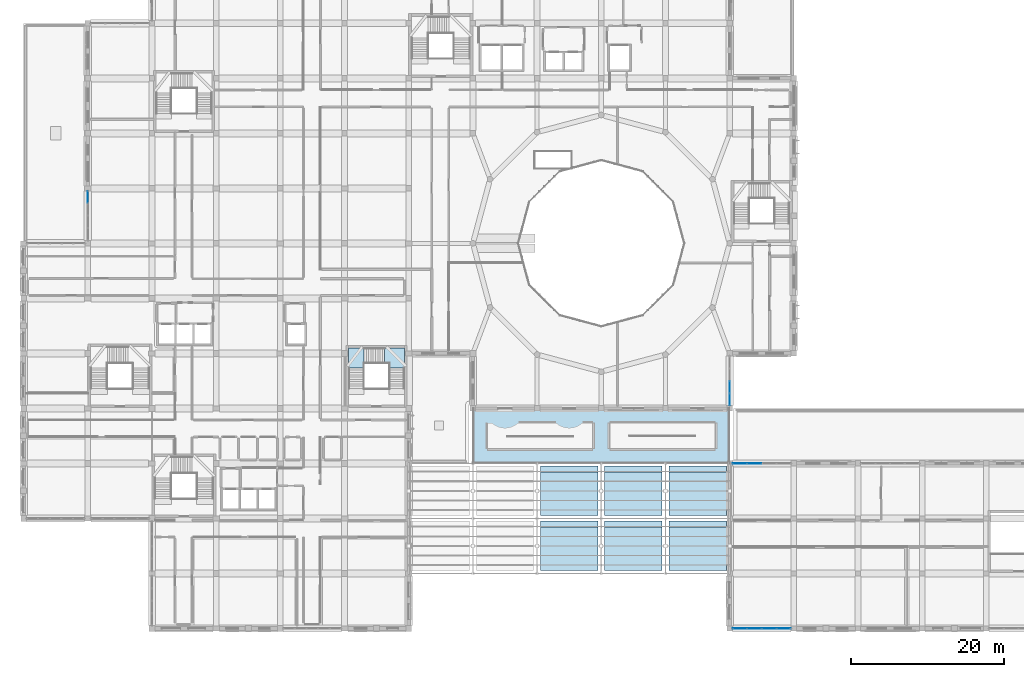
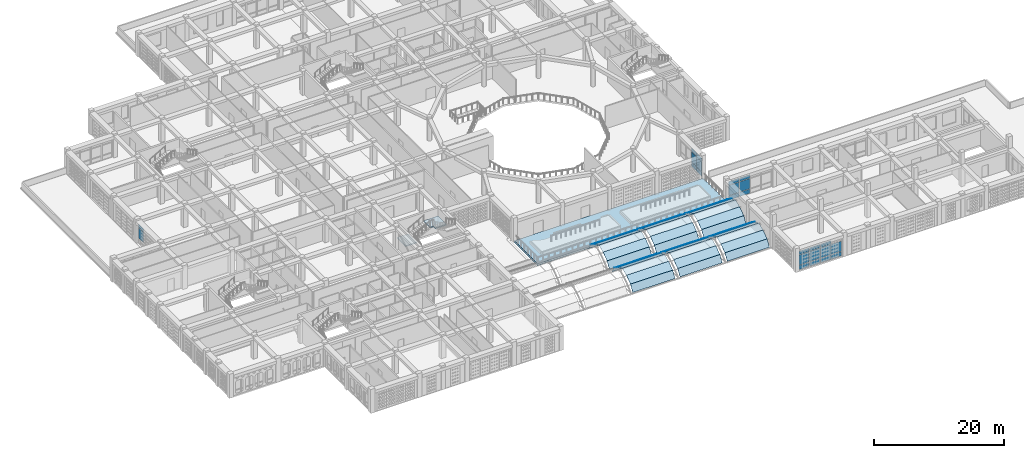
# One storey, part 42 of 100: 61 plates, 3 slabs, 5 elements without a shape of their own.
"""IFC4 building model written with IfcOpenShell, lengths in metres."""

from ifc_helpers import new_model, si_unit, derived_unit, direction, frame, origin, origin_2d, place, context, subcontext, project, spatial, polyline, rectangle, outline, extrude, material, layer, layer_set, type_object, element, aggregate, save


model = new_model("IFC4")

# Units and contexts
model_context = context("Model", 3, precision=1e-05, world=origin(), true_north=direction((0.0, 1.0)))
body_context = subcontext(model_context, "Body", "Model", "MODEL_VIEW")
ifc_project = project(units=[si_unit("LENGTHUNIT", "METRE"), si_unit("AREAUNIT", "SQUARE_METRE"), si_unit("VOLUMEUNIT", "CUBIC_METRE"), si_unit("PLANEANGLEUNIT", "RADIAN"), si_unit("MASSUNIT", "GRAM", prefix="KILO"), derived_unit("THERMALTRANSMITTANCEUNIT", [(si_unit("POWERUNIT", "WATT"), 1), (si_unit("LENGTHUNIT", "METRE"), -2), (si_unit("THERMODYNAMICTEMPERATUREUNIT", "KELVIN"), -1)])], contexts=[model_context])

# Site, building, storey
site_placement = place(None, origin())
site = spatial("IfcSite", under=ifc_project, at=site_placement, CompositionType="ELEMENT")
building_placement = place(site_placement, origin())
building = spatial("IfcBuilding", under=site, at=building_placement, Name="Veybourne Emporium", CompositionType="ELEMENT")
storey_placement = place(building_placement, frame((0.0, 0.0, 14.39990234375)))
storey = spatial("IfcBuildingStorey", under=building, at=storey_placement, Name="L03", CompositionType="ELEMENT", Elevation=14.39990234375)

# Curtain wall, plates
ifc_material_1 = material(Name="Patinated Architectural Bronze", Category="bronze")
curtain_wall_type_1 = type_object("IfcCurtainWallType", Name="CWSystem_CWS-08", PredefinedType="NOTDEFINED", material=ifc_material_1)
curtain_wall_1_placement = place(storey_placement, origin())
curtain_wall_1 = element("IfcCurtainWall", 1, at=curtain_wall_1_placement, inside=storey, type_object=curtain_wall_type_1, Name="L03 bronze glazed curtain wall CWS-08 (009)", PredefinedType="NOTDEFINED")
ifc_material_2 = material(Name="Low-E Triple Glazing", Category="glass")
ifc_layer_1 = layer(ifc_material_2, 0.028076171875)
ifc_layer_set_1 = layer_set([ifc_layer_1], Name="Low-E Triple Glazing")
plate_type_1 = type_object("IfcPlateType", Name="CWPanel_CW-P1", PredefinedType="CURTAIN_PANEL", material=ifc_layer_set_1)
plate_1_placement = place(storey_placement, frame((8.39990234375, 56.445068359375, 0.93505859375), z_axis=(0.0, 0.0, 1.0), x_axis=(0.0, 1.0, 0.0)))
plate_1 = element("IfcPlate", 2, at=plate_1_placement, type_object=plate_type_1, Name="CWS-08 panel 4.2", PredefinedType="CURTAIN_PANEL", context=body_context, shape_type="SweptSolid", body=[
    extrude(rectangle(XDim=1.52001953125, YDim=0.028076171875, at=origin_2d()), origin(), (0.0, 0.0, 1.0), 1.909912109375),
])
plate_2_placement = place(storey_placement, frame((8.39990234375, 56.445068359375, 2.9150390625), z_axis=(0.0, 0.0, 1.0), x_axis=(0.0, 1.0, 0.0)))
plate_2 = element("IfcPlate", 3, at=plate_2_placement, type_object=plate_type_1, Name="CWS-08 panel 4.3", PredefinedType="CURTAIN_PANEL", context=body_context, shape_type="SweptSolid", body=[
    extrude(rectangle(XDim=1.52001953125, YDim=0.028076171875, at=origin_2d()), origin(), (0.0, 0.0, 1.0), 0.64501953125),
])
aggregate(curtain_wall_1, [plate_1, plate_2])

curtain_wall_type_2 = type_object("IfcCurtainWallType", Name="CWSystem_CWS-17", PredefinedType="NOTDEFINED", material=ifc_material_1)
curtain_wall_2_placement = place(storey_placement, origin())
curtain_wall_2 = element("IfcCurtainWall", 4, at=curtain_wall_2_placement, inside=storey, type_object=curtain_wall_type_2, Name="L03 bronze glazed curtain wall CWS-17 (042)", PredefinedType="NOTDEFINED")
plate_3_placement = place(storey_placement, frame((92.39990234375, 31.58740234375, 0.072021484375), z_axis=(0.0, 0.0, 1.0), x_axis=(0.0, -1.0, 0.0)))
plate_3 = element("IfcPlate", 5, at=plate_3_placement, type_object=plate_type_1, Name="CWS-17 panel 3.1", PredefinedType="CURTAIN_PANEL", context=body_context, shape_type="SweptSolid", body=[
    extrude(rectangle(XDim=1.552978515625, YDim=0.028076171875, at=origin_2d()), origin(), (0.0, 0.0, 1.0), 0.7919921875),
])
plate_4_placement = place(storey_placement, frame((92.39990234375, 31.58740234375, 0.93603515625), z_axis=(0.0, 0.0, 1.0), x_axis=(0.0, -1.0, 0.0)))
plate_4 = element("IfcPlate", 6, at=plate_4_placement, type_object=plate_type_1, Name="CWS-17 panel 3.2", PredefinedType="CURTAIN_PANEL", context=body_context, shape_type="SweptSolid", body=[
    extrude(rectangle(XDim=1.552978515625, YDim=0.028076171875, at=origin_2d()), origin(), (0.0, 0.0, 1.0), 1.907958984375),
])
plate_5_placement = place(storey_placement, frame((92.39990234375, 31.58740234375, 2.916015625), z_axis=(0.0, 0.0, 1.0), x_axis=(0.0, -1.0, 0.0)))
plate_5 = element("IfcPlate", 7, at=plate_5_placement, type_object=plate_type_1, Name="CWS-17 panel 3.3", PredefinedType="CURTAIN_PANEL", context=body_context, shape_type="SweptSolid", body=[
    extrude(rectangle(XDim=1.552978515625, YDim=0.028076171875, at=origin_2d()), origin(), (0.0, 0.0, 1.0), 0.64208984375),
])
plate_6_placement = place(storey_placement, frame((92.39990234375, 29.98046875, 0.072021484375), z_axis=(0.0, 0.0, 1.0), x_axis=(0.0, -1.0, 0.0)))
plate_6 = element("IfcPlate", 8, at=plate_6_placement, type_object=plate_type_1, Name="CWS-17 panel 4.1", PredefinedType="CURTAIN_PANEL", context=body_context, shape_type="SweptSolid", body=[
    extrude(rectangle(XDim=1.51708984375, YDim=0.028076171875, at=origin_2d()), origin(), (0.0, 0.0, 1.0), 0.7919921875),
])
plate_7_placement = place(storey_placement, frame((92.39990234375, 29.98046875, 0.93603515625), z_axis=(0.0, 0.0, 1.0), x_axis=(0.0, -1.0, 0.0)))
plate_7 = element("IfcPlate", 9, at=plate_7_placement, type_object=plate_type_1, Name="CWS-17 panel 4.2", PredefinedType="CURTAIN_PANEL", context=body_context, shape_type="SweptSolid", body=[
    extrude(rectangle(XDim=1.51708984375, YDim=0.028076171875, at=origin_2d()), origin(), (0.0, 0.0, 1.0), 1.907958984375),
])
plate_8_placement = place(storey_placement, frame((92.39990234375, 29.98046875, 2.916015625), z_axis=(0.0, 0.0, 1.0), x_axis=(0.0, -1.0, 0.0)))
plate_8 = element("IfcPlate", 10, at=plate_8_placement, type_object=plate_type_1, Name="CWS-17 panel 4.3", PredefinedType="CURTAIN_PANEL", context=body_context, shape_type="SweptSolid", body=[
    extrude(rectangle(XDim=1.51708984375, YDim=0.028076171875, at=origin_2d()), origin(), (0.0, 0.0, 1.0), 0.64208984375),
])
aggregate(curtain_wall_2, [plate_3, plate_4, plate_5, plate_6, plate_7, plate_8])

curtain_wall_type_3 = type_object("IfcCurtainWallType", Name="CWSystem_CWS-19", PredefinedType="NOTDEFINED", material=ifc_material_1)
curtain_wall_3_placement = place(storey_placement, origin())
curtain_wall_3 = element("IfcCurtainWall", 11, at=curtain_wall_3_placement, inside=storey, type_object=curtain_wall_type_3, Name="L03 bronze glazed curtain wall CWS-19 (048)", PredefinedType="NOTDEFINED")
plate_9_placement = place(storey_placement, frame((99.468017578125, 0.0, 0.078125), z_axis=(0.0, 0.0, 1.0), x_axis=(-1.0, 0.0, 0.0)))
plate_9 = element("IfcPlate", 12, at=plate_9_placement, type_object=plate_type_1, Name="CWS-19 panel 1.1", PredefinedType="CURTAIN_PANEL", context=body_context, shape_type="SweptSolid", body=[
    extrude(rectangle(XDim=1.80810546875, YDim=0.028076171875, at=origin_2d()), origin(), (0.0, 0.0, 1.0), 0.782958984375),
])
plate_10_placement = place(storey_placement, frame((99.468017578125, 0.0, 0.93896484375), z_axis=(0.0, 0.0, 1.0), x_axis=(-1.0, 0.0, 0.0)))
plate_10 = element("IfcPlate", 13, at=plate_10_placement, type_object=plate_type_1, Name="CWS-19 panel 1.2", PredefinedType="CURTAIN_PANEL", context=body_context, shape_type="SweptSolid", body=[
    extrude(rectangle(XDim=1.80810546875, YDim=0.028076171875, at=origin_2d()), origin(), (0.0, 0.0, 1.0), 1.902099609375),
])
plate_11_placement = place(storey_placement, frame((97.5625, 0.0, 0.078125), z_axis=(0.0, 0.0, 1.0), x_axis=(-1.0, 0.0, 0.0)))
plate_11 = element("IfcPlate", 14, at=plate_11_placement, type_object=plate_type_1, Name="CWS-19 panel 2.1", PredefinedType="CURTAIN_PANEL", context=body_context, shape_type="SweptSolid", body=[
    extrude(rectangle(XDim=1.846923828125, YDim=0.028076171875, at=origin_2d()), origin(), (0.0, 0.0, 1.0), 0.782958984375),
])
plate_12_placement = place(storey_placement, frame((97.5625, 0.0, 0.93896484375), z_axis=(0.0, 0.0, 1.0), x_axis=(-1.0, 0.0, 0.0)))
plate_12 = element("IfcPlate", 15, at=plate_12_placement, type_object=plate_type_1, Name="CWS-19 panel 2.2", PredefinedType="CURTAIN_PANEL", context=body_context, shape_type="SweptSolid", body=[
    extrude(rectangle(XDim=1.846923828125, YDim=0.028076171875, at=origin_2d()), origin(), (0.0, 0.0, 1.0), 1.902099609375),
])
plate_13_placement = place(storey_placement, frame((97.5625, 0.0, 2.9189453125), z_axis=(0.0, 0.0, 1.0), x_axis=(-1.0, 0.0, 0.0)))
plate_13 = element("IfcPlate", 16, at=plate_13_placement, type_object=plate_type_1, Name="CWS-19 panel 2.3", PredefinedType="CURTAIN_PANEL", context=body_context, shape_type="SweptSolid", body=[
    extrude(rectangle(XDim=1.846923828125, YDim=0.028076171875, at=origin_2d()), origin(), (0.0, 0.0, 1.0), 0.633056640625),
])
plate_14_placement = place(storey_placement, frame((95.637451171875, 0.0, 0.078125), z_axis=(0.0, 0.0, 1.0), x_axis=(-1.0, 0.0, 0.0)))
plate_14 = element("IfcPlate", 17, at=plate_14_placement, type_object=plate_type_1, Name="CWS-19 panel 3.1", PredefinedType="CURTAIN_PANEL", context=body_context, shape_type="SweptSolid", body=[
    extrude(rectangle(XDim=1.846923828125, YDim=0.028076171875, at=origin_2d()), origin(), (0.0, 0.0, 1.0), 0.782958984375),
])
plate_15_placement = place(storey_placement, frame((95.637451171875, 0.0, 0.93896484375), z_axis=(0.0, 0.0, 1.0), x_axis=(-1.0, 0.0, 0.0)))
plate_15 = element("IfcPlate", 18, at=plate_15_placement, type_object=plate_type_1, Name="CWS-19 panel 3.2", PredefinedType="CURTAIN_PANEL", context=body_context, shape_type="SweptSolid", body=[
    extrude(rectangle(XDim=1.846923828125, YDim=0.028076171875, at=origin_2d()), origin(), (0.0, 0.0, 1.0), 1.902099609375),
])
plate_16_placement = place(storey_placement, frame((95.637451171875, 0.0, 2.9189453125), z_axis=(0.0, 0.0, 1.0), x_axis=(-1.0, 0.0, 0.0)))
plate_16 = element("IfcPlate", 19, at=plate_16_placement, type_object=plate_type_1, Name="CWS-19 panel 3.3", PredefinedType="CURTAIN_PANEL", context=body_context, shape_type="SweptSolid", body=[
    extrude(rectangle(XDim=1.846923828125, YDim=0.028076171875, at=origin_2d()), origin(), (0.0, 0.0, 1.0), 0.633056640625),
])
plate_17_placement = place(storey_placement, frame((93.73193359375, 0.0, 0.078125), z_axis=(0.0, 0.0, 1.0), x_axis=(-1.0, 0.0, 0.0)))
plate_17 = element("IfcPlate", 20, at=plate_17_placement, type_object=plate_type_1, Name="CWS-19 panel 4.1", PredefinedType="CURTAIN_PANEL", context=body_context, shape_type="SweptSolid", body=[
    extrude(rectangle(XDim=1.80810546875, YDim=0.028076171875, at=origin_2d()), origin(), (0.0, 0.0, 1.0), 0.782958984375),
])
plate_18_placement = place(storey_placement, frame((93.73193359375, 0.0, 0.93896484375), z_axis=(0.0, 0.0, 1.0), x_axis=(-1.0, 0.0, 0.0)))
plate_18 = element("IfcPlate", 21, at=plate_18_placement, type_object=plate_type_1, Name="CWS-19 panel 4.2", PredefinedType="CURTAIN_PANEL", context=body_context, shape_type="SweptSolid", body=[
    extrude(rectangle(XDim=1.80810546875, YDim=0.028076171875, at=origin_2d()), origin(), (0.0, 0.0, 1.0), 1.902099609375),
])
plate_19_placement = place(storey_placement, frame((93.73193359375, 0.0, 2.9189453125), z_axis=(0.0, 0.0, 1.0), x_axis=(-1.0, 0.0, 0.0)))
plate_19 = element("IfcPlate", 22, at=plate_19_placement, type_object=plate_type_1, Name="CWS-19 panel 4.3", PredefinedType="CURTAIN_PANEL", context=body_context, shape_type="SweptSolid", body=[
    extrude(rectangle(XDim=1.80810546875, YDim=0.028076171875, at=origin_2d()), origin(), (0.0, 0.0, 1.0), 0.633056640625),
])
aggregate(curtain_wall_3, [plate_9, plate_10, plate_11, plate_12, plate_13, plate_14, plate_15, plate_16, plate_17, plate_18, plate_19])

curtain_wall_type_4 = type_object("IfcCurtainWallType", Name="CWSystem_CWS-20", PredefinedType="NOTDEFINED", material=ifc_material_1)
curtain_wall_4_placement = place(storey_placement, origin())
curtain_wall_4 = element("IfcCurtainWall", 23, at=curtain_wall_4_placement, inside=storey, type_object=curtain_wall_type_4, Name="L03 bronze glazed curtain wall CWS-20 (051)", PredefinedType="NOTDEFINED")
plate_20_placement = place(storey_placement, frame((93.72998046875, 21.60009765625, 0.070068359375), z_axis=(0.0, 0.0, 1.0), x_axis=(1.0, 0.0, 0.0)))
plate_20 = element("IfcPlate", 24, at=plate_20_placement, type_object=plate_type_1, Name="CWS-20 panel 1.1", PredefinedType="CURTAIN_PANEL", context=body_context, shape_type="SweptSolid", body=[
    extrude(rectangle(XDim=1.820068359375, YDim=0.028076171875, at=origin_2d()), origin(), (0.0, 0.0, 1.0), 0.794921875),
])
plate_21_placement = place(storey_placement, frame((93.72998046875, 21.60009765625, 0.93505859375), z_axis=(0.0, 0.0, 1.0), x_axis=(1.0, 0.0, 0.0)))
plate_21 = element("IfcPlate", 25, at=plate_21_placement, type_object=plate_type_1, Name="CWS-20 panel 1.2", PredefinedType="CURTAIN_PANEL", context=body_context, shape_type="SweptSolid", body=[
    extrude(rectangle(XDim=1.820068359375, YDim=0.028076171875, at=origin_2d()), origin(), (0.0, 0.0, 1.0), 1.909912109375),
])
plate_22_placement = place(storey_placement, frame((93.72998046875, 21.60009765625, 2.9150390625), z_axis=(0.0, 0.0, 1.0), x_axis=(1.0, 0.0, 0.0)))
plate_22 = element("IfcPlate", 26, at=plate_22_placement, type_object=plate_type_1, Name="CWS-20 panel 1.3", PredefinedType="CURTAIN_PANEL", context=body_context, shape_type="SweptSolid", body=[
    extrude(rectangle(XDim=1.820068359375, YDim=0.028076171875, at=origin_2d()), origin(), (0.0, 0.0, 1.0), 0.64501953125),
])
plate_23_placement = place(storey_placement, frame((95.637451171875, 21.60009765625, 0.070068359375), z_axis=(0.0, 0.0, 1.0), x_axis=(1.0, 0.0, 0.0)))
plate_23 = element("IfcPlate", 27, at=plate_23_placement, type_object=plate_type_1, Name="CWS-20 panel 2.1", PredefinedType="CURTAIN_PANEL", context=body_context, shape_type="SweptSolid", body=[
    extrude(rectangle(XDim=1.85498046875, YDim=0.028076171875, at=origin_2d()), origin(), (0.0, 0.0, 1.0), 0.794921875),
])
plate_24_placement = place(storey_placement, frame((95.637451171875, 21.60009765625, 0.93505859375), z_axis=(0.0, 0.0, 1.0), x_axis=(1.0, 0.0, 0.0)))
plate_24 = element("IfcPlate", 28, at=plate_24_placement, type_object=plate_type_1, Name="CWS-20 panel 2.2", PredefinedType="CURTAIN_PANEL", context=body_context, shape_type="SweptSolid", body=[
    extrude(rectangle(XDim=1.85498046875, YDim=0.028076171875, at=origin_2d()), origin(), (0.0, 0.0, 1.0), 1.909912109375),
])
plate_25_placement = place(storey_placement, frame((95.637451171875, 21.60009765625, 2.9150390625), z_axis=(0.0, 0.0, 1.0), x_axis=(1.0, 0.0, 0.0)))
plate_25 = element("IfcPlate", 29, at=plate_25_placement, type_object=plate_type_1, Name="CWS-20 panel 2.3", PredefinedType="CURTAIN_PANEL", context=body_context, shape_type="SweptSolid", body=[
    extrude(rectangle(XDim=1.85498046875, YDim=0.028076171875, at=origin_2d()), origin(), (0.0, 0.0, 1.0), 0.64501953125),
])
aggregate(curtain_wall_4, [plate_20, plate_21, plate_22, plate_23, plate_24, plate_25])

# Plates
ifc_material_3 = material(Name="Solar Control Laminated Glass", Category="glass")
ifc_layer_2 = layer(ifc_material_3, 0.02392578125)
ifc_layer_set_2 = layer_set([ifc_layer_2], Name="Solar Control Laminated Glass")
plate_type_2 = type_object("IfcPlateType", Name="GlazingPlate_VG-01", PredefinedType="SHEET", material=ifc_layer_set_2)
plate_26_placement = place(storey_placement, frame((67.639892578125, 7.56005859375, 0.024169921875), z_axis=(0.0, -0.847573426273, 0.530678138871), x_axis=(1.0, 0.0, 0.0)))
element("IfcPlate", 30, at=plate_26_placement, inside=storey, type_object=plate_type_2, Name="Arcade vault laminated glazing VG-01 VA.2.1", PredefinedType="SHEET", context=body_context, shape_type="SweptSolid", body=[
    extrude(outline(polyline([(0.0, 0.0), (7.52001953125, 0.0), (7.52001953125, 1.3566993821477364), (0.0, 1.3566993821477364), (0.0, 0.0)])), origin(), (0.0, 0.0, -1.0), 0.02392578125),
])
plate_27_placement = place(storey_placement, frame((67.639892578125, 8.280029296875, 1.174072265625), z_axis=(0.0, -0.581297847849, 0.813690857811), x_axis=(1.0, 0.0, 0.0)))
element("IfcPlate", 31, at=plate_27_placement, inside=storey, type_object=plate_type_2, Name="Arcade vault laminated glazing VG-01 VA.2.2", PredefinedType="SHEET", context=body_context, shape_type="SweptSolid", body=[
    extrude(outline(polyline([(0.0, 0.0), (7.52001953125, 0.0), (7.52001953125, 1.5485116411583864), (0.0, 1.5485116411583864), (0.0, 0.0)])), origin(), (0.0, 0.0, -1.0), 0.02392578125),
])
for number, where, z_axis, x_axis, name in (
    (32, (67.639892578125, 9.5400390625, 2.07421875), (0.0, -0.399933606254, 0.916544112735), (1.0, 0.0, 0.0), "Arcade vault laminated glazing VG-01 VA.2.3"),
    (33, (67.639892578125, 10.800048828125, 2.6240234375), (0.0, 0.399933606254, 0.916544112735), (1.0, 0.0, 0.0), "Arcade vault laminated glazing VG-01 VA.2.4"),
):
    element("IfcPlate", number, at=place(storey_placement, frame(where, z_axis=z_axis, x_axis=x_axis)), inside=storey, type_object=plate_type_2, Name=name, PredefinedType="SHEET", context=body_context, shape_type="SweptSolid", body=[
        extrude(outline(polyline([(0.0, 0.0), (7.52001953125, 0.0), (7.52001953125, 1.3747399040790733), (0.0, 1.3747399040790733), (0.0, 0.0)])), origin(), (0.0, 0.0, -1.0), 0.02392578125),
    ])
plate_28_placement = place(storey_placement, frame((67.639892578125, 12.06005859375, 2.07421875), z_axis=(0.0, 0.581297847849, 0.813690857811), x_axis=(1.0, 0.0, 0.0)))
element("IfcPlate", 34, at=plate_28_placement, inside=storey, type_object=plate_type_2, Name="Arcade vault laminated glazing VG-01 VA.2.5", PredefinedType="SHEET", context=body_context, shape_type="SweptSolid", body=[
    extrude(outline(polyline([(0.0, 0.0), (7.52001953125, 0.0), (7.52001953125, 1.5485116411583864), (0.0, 1.5485116411583864), (0.0, 0.0)])), origin(), (0.0, 0.0, -1.0), 0.02392578125),
])
for number, where, z_axis, x_axis, name in (
    (35, (67.639892578125, 13.320068359375, 1.174072265625), (0.0, 0.847573426273, 0.530678138871), (1.0, 0.0, 0.0), "Arcade vault laminated glazing VG-01 VA.2.6"),
    (36, (76.0400390625, 7.56005859375, 0.024169921875), (0.0, -0.847573426273, 0.530678138871), (1.0, 0.0, 0.0), "Arcade vault laminated glazing VG-01 VA.3.1"),
):
    element("IfcPlate", number, at=place(storey_placement, frame(where, z_axis=z_axis, x_axis=x_axis)), inside=storey, type_object=plate_type_2, Name=name, PredefinedType="SHEET", context=body_context, shape_type="SweptSolid", body=[
        extrude(outline(polyline([(0.0, 0.0), (7.52001953125, 0.0), (7.52001953125, 1.3566993821477364), (0.0, 1.3566993821477364), (0.0, 0.0)])), origin(), (0.0, 0.0, -1.0), 0.02392578125),
    ])
plate_29_placement = place(storey_placement, frame((76.0400390625, 8.280029296875, 1.174072265625), z_axis=(0.0, -0.581297847849, 0.813690857811), x_axis=(1.0, 0.0, 0.0)))
element("IfcPlate", 37, at=plate_29_placement, inside=storey, type_object=plate_type_2, Name="Arcade vault laminated glazing VG-01 VA.3.2", PredefinedType="SHEET", context=body_context, shape_type="SweptSolid", body=[
    extrude(outline(polyline([(0.0, 0.0), (7.52001953125, 0.0), (7.52001953125, 1.5485116411583864), (0.0, 1.5485116411583864), (0.0, 0.0)])), origin(), (0.0, 0.0, -1.0), 0.02392578125),
])
for number, where, z_axis, x_axis, name in (
    (38, (76.0400390625, 9.5400390625, 2.07421875), (0.0, -0.399933606254, 0.916544112735), (1.0, 0.0, 0.0), "Arcade vault laminated glazing VG-01 VA.3.3"),
    (39, (76.0400390625, 10.800048828125, 2.6240234375), (0.0, 0.399933606254, 0.916544112735), (1.0, 0.0, 0.0), "Arcade vault laminated glazing VG-01 VA.3.4"),
):
    element("IfcPlate", number, at=place(storey_placement, frame(where, z_axis=z_axis, x_axis=x_axis)), inside=storey, type_object=plate_type_2, Name=name, PredefinedType="SHEET", context=body_context, shape_type="SweptSolid", body=[
        extrude(outline(polyline([(0.0, 0.0), (7.52001953125, 0.0), (7.52001953125, 1.3747399040790733), (0.0, 1.3747399040790733), (0.0, 0.0)])), origin(), (0.0, 0.0, -1.0), 0.02392578125),
    ])
plate_30_placement = place(storey_placement, frame((76.0400390625, 12.06005859375, 2.07421875), z_axis=(0.0, 0.581297847849, 0.813690857811), x_axis=(1.0, 0.0, 0.0)))
element("IfcPlate", 40, at=plate_30_placement, inside=storey, type_object=plate_type_2, Name="Arcade vault laminated glazing VG-01 VA.3.5", PredefinedType="SHEET", context=body_context, shape_type="SweptSolid", body=[
    extrude(outline(polyline([(0.0, 0.0), (7.52001953125, 0.0), (7.52001953125, 1.5485116411583864), (0.0, 1.5485116411583864), (0.0, 0.0)])), origin(), (0.0, 0.0, -1.0), 0.02392578125),
])
for number, where, z_axis, x_axis, name in (
    (41, (76.0400390625, 13.320068359375, 1.174072265625), (0.0, 0.847573426273, 0.530678138871), (1.0, 0.0, 0.0), "Arcade vault laminated glazing VG-01 VA.3.6"),
    (42, (84.43994140625, 7.56005859375, 0.024169921875), (0.0, -0.847573426273, 0.530678138871), (1.0, 0.0, 0.0), "Arcade vault laminated glazing VG-01 VA.4.1"),
):
    element("IfcPlate", number, at=place(storey_placement, frame(where, z_axis=z_axis, x_axis=x_axis)), inside=storey, type_object=plate_type_2, Name=name, PredefinedType="SHEET", context=body_context, shape_type="SweptSolid", body=[
        extrude(outline(polyline([(0.0, 0.0), (7.52001953125, 0.0), (7.52001953125, 1.3566993821477364), (0.0, 1.3566993821477364), (0.0, 0.0)])), origin(), (0.0, 0.0, -1.0), 0.02392578125),
    ])
plate_31_placement = place(storey_placement, frame((84.43994140625, 8.280029296875, 1.174072265625), z_axis=(0.0, -0.581297847849, 0.813690857811), x_axis=(1.0, 0.0, 0.0)))
element("IfcPlate", 43, at=plate_31_placement, inside=storey, type_object=plate_type_2, Name="Arcade vault laminated glazing VG-01 VA.4.2", PredefinedType="SHEET", context=body_context, shape_type="SweptSolid", body=[
    extrude(outline(polyline([(0.0, 0.0), (7.52001953125, 0.0), (7.52001953125, 1.5485116411583864), (0.0, 1.5485116411583864), (0.0, 0.0)])), origin(), (0.0, 0.0, -1.0), 0.02392578125),
])
for number, where, z_axis, x_axis, name in (
    (44, (84.43994140625, 9.5400390625, 2.07421875), (0.0, -0.399933606254, 0.916544112735), (1.0, 0.0, 0.0), "Arcade vault laminated glazing VG-01 VA.4.3"),
    (45, (84.43994140625, 10.800048828125, 2.6240234375), (0.0, 0.399933606254, 0.916544112735), (1.0, 0.0, 0.0), "Arcade vault laminated glazing VG-01 VA.4.4"),
):
    element("IfcPlate", number, at=place(storey_placement, frame(where, z_axis=z_axis, x_axis=x_axis)), inside=storey, type_object=plate_type_2, Name=name, PredefinedType="SHEET", context=body_context, shape_type="SweptSolid", body=[
        extrude(outline(polyline([(0.0, 0.0), (7.52001953125, 0.0), (7.52001953125, 1.3747399040790733), (0.0, 1.3747399040790733), (0.0, 0.0)])), origin(), (0.0, 0.0, -1.0), 0.02392578125),
    ])
plate_32_placement = place(storey_placement, frame((84.43994140625, 12.06005859375, 2.07421875), z_axis=(0.0, 0.581297847849, 0.813690857811), x_axis=(1.0, 0.0, 0.0)))
element("IfcPlate", 46, at=plate_32_placement, inside=storey, type_object=plate_type_2, Name="Arcade vault laminated glazing VG-01 VA.4.5", PredefinedType="SHEET", context=body_context, shape_type="SweptSolid", body=[
    extrude(outline(polyline([(0.0, 0.0), (7.52001953125, 0.0), (7.52001953125, 1.5485116411583864), (0.0, 1.5485116411583864), (0.0, 0.0)])), origin(), (0.0, 0.0, -1.0), 0.02392578125),
])
for number, where, z_axis, x_axis, name in (
    (47, (84.43994140625, 13.320068359375, 1.174072265625), (0.0, 0.847573426273, 0.530678138871), (1.0, 0.0, 0.0), "Arcade vault laminated glazing VG-01 VA.4.6"),
    (48, (67.639892578125, 14.760009765625, 0.024169921875), (0.0, -0.847573426273, 0.530678138871), (1.0, 0.0, 0.0), "Arcade vault laminated glazing VG-01 VB.2.1"),
):
    element("IfcPlate", number, at=place(storey_placement, frame(where, z_axis=z_axis, x_axis=x_axis)), inside=storey, type_object=plate_type_2, Name=name, PredefinedType="SHEET", context=body_context, shape_type="SweptSolid", body=[
        extrude(outline(polyline([(0.0, 0.0), (7.52001953125, 0.0), (7.52001953125, 1.3566993821477364), (0.0, 1.3566993821477364), (0.0, 0.0)])), origin(), (0.0, 0.0, -1.0), 0.02392578125),
    ])
plate_33_placement = place(storey_placement, frame((67.639892578125, 15.47998046875, 1.174072265625), z_axis=(0.0, -0.581297847849, 0.813690857811), x_axis=(1.0, 0.0, 0.0)))
element("IfcPlate", 49, at=plate_33_placement, inside=storey, type_object=plate_type_2, Name="Arcade vault laminated glazing VG-01 VB.2.2", PredefinedType="SHEET", context=body_context, shape_type="SweptSolid", body=[
    extrude(outline(polyline([(0.0, 0.0), (7.52001953125, 0.0), (7.52001953125, 1.5485116411583864), (0.0, 1.5485116411583864), (0.0, 0.0)])), origin(), (0.0, 0.0, -1.0), 0.02392578125),
])
for number, where, z_axis, x_axis, name in (
    (50, (67.639892578125, 16.739990234375, 2.07421875), (0.0, -0.399933606254, 0.916544112735), (1.0, 0.0, 0.0), "Arcade vault laminated glazing VG-01 VB.2.3"),
    (51, (67.639892578125, 18.0, 2.6240234375), (0.0, 0.399933606254, 0.916544112735), (1.0, 0.0, 0.0), "Arcade vault laminated glazing VG-01 VB.2.4"),
):
    element("IfcPlate", number, at=place(storey_placement, frame(where, z_axis=z_axis, x_axis=x_axis)), inside=storey, type_object=plate_type_2, Name=name, PredefinedType="SHEET", context=body_context, shape_type="SweptSolid", body=[
        extrude(outline(polyline([(0.0, 0.0), (7.52001953125, 0.0), (7.52001953125, 1.3747399040790733), (0.0, 1.3747399040790733), (0.0, 0.0)])), origin(), (0.0, 0.0, -1.0), 0.02392578125),
    ])
plate_34_placement = place(storey_placement, frame((67.639892578125, 19.260009765625, 2.07421875), z_axis=(0.0, 0.581297847849, 0.813690857811), x_axis=(1.0, 0.0, 0.0)))
element("IfcPlate", 52, at=plate_34_placement, inside=storey, type_object=plate_type_2, Name="Arcade vault laminated glazing VG-01 VB.2.5", PredefinedType="SHEET", context=body_context, shape_type="SweptSolid", body=[
    extrude(outline(polyline([(0.0, 0.0), (7.52001953125, 0.0), (7.52001953125, 1.5485116411583864), (0.0, 1.5485116411583864), (0.0, 0.0)])), origin(), (0.0, 0.0, -1.0), 0.02392578125),
])
for number, where, z_axis, x_axis, name in (
    (53, (67.639892578125, 20.52001953125, 1.174072265625), (0.0, 0.847573426273, 0.530678138871), (1.0, 0.0, 0.0), "Arcade vault laminated glazing VG-01 VB.2.6"),
    (54, (76.0400390625, 14.760009765625, 0.024169921875), (0.0, -0.847573426273, 0.530678138871), (1.0, 0.0, 0.0), "Arcade vault laminated glazing VG-01 VB.3.1"),
):
    element("IfcPlate", number, at=place(storey_placement, frame(where, z_axis=z_axis, x_axis=x_axis)), inside=storey, type_object=plate_type_2, Name=name, PredefinedType="SHEET", context=body_context, shape_type="SweptSolid", body=[
        extrude(outline(polyline([(0.0, 0.0), (7.52001953125, 0.0), (7.52001953125, 1.3566993821477364), (0.0, 1.3566993821477364), (0.0, 0.0)])), origin(), (0.0, 0.0, -1.0), 0.02392578125),
    ])
plate_35_placement = place(storey_placement, frame((76.0400390625, 15.47998046875, 1.174072265625), z_axis=(0.0, -0.581297847849, 0.813690857811), x_axis=(1.0, 0.0, 0.0)))
element("IfcPlate", 55, at=plate_35_placement, inside=storey, type_object=plate_type_2, Name="Arcade vault laminated glazing VG-01 VB.3.2", PredefinedType="SHEET", context=body_context, shape_type="SweptSolid", body=[
    extrude(outline(polyline([(0.0, 0.0), (7.52001953125, 0.0), (7.52001953125, 1.5485116411583864), (0.0, 1.5485116411583864), (0.0, 0.0)])), origin(), (0.0, 0.0, -1.0), 0.02392578125),
])
for number, where, z_axis, x_axis, name in (
    (56, (76.0400390625, 16.739990234375, 2.07421875), (0.0, -0.399933606254, 0.916544112735), (1.0, 0.0, 0.0), "Arcade vault laminated glazing VG-01 VB.3.3"),
    (57, (76.0400390625, 18.0, 2.6240234375), (0.0, 0.399933606254, 0.916544112735), (1.0, 0.0, 0.0), "Arcade vault laminated glazing VG-01 VB.3.4"),
):
    element("IfcPlate", number, at=place(storey_placement, frame(where, z_axis=z_axis, x_axis=x_axis)), inside=storey, type_object=plate_type_2, Name=name, PredefinedType="SHEET", context=body_context, shape_type="SweptSolid", body=[
        extrude(outline(polyline([(0.0, 0.0), (7.52001953125, 0.0), (7.52001953125, 1.3747399040790733), (0.0, 1.3747399040790733), (0.0, 0.0)])), origin(), (0.0, 0.0, -1.0), 0.02392578125),
    ])
plate_36_placement = place(storey_placement, frame((76.0400390625, 19.260009765625, 2.07421875), z_axis=(0.0, 0.581297847849, 0.813690857811), x_axis=(1.0, 0.0, 0.0)))
element("IfcPlate", 58, at=plate_36_placement, inside=storey, type_object=plate_type_2, Name="Arcade vault laminated glazing VG-01 VB.3.5", PredefinedType="SHEET", context=body_context, shape_type="SweptSolid", body=[
    extrude(outline(polyline([(0.0, 0.0), (7.52001953125, 0.0), (7.52001953125, 1.5485116411583864), (0.0, 1.5485116411583864), (0.0, 0.0)])), origin(), (0.0, 0.0, -1.0), 0.02392578125),
])
for number, where, z_axis, x_axis, name in (
    (59, (76.0400390625, 20.52001953125, 1.174072265625), (0.0, 0.847573426273, 0.530678138871), (1.0, 0.0, 0.0), "Arcade vault laminated glazing VG-01 VB.3.6"),
    (60, (84.43994140625, 14.760009765625, 0.024169921875), (0.0, -0.847573426273, 0.530678138871), (1.0, 0.0, 0.0), "Arcade vault laminated glazing VG-01 VB.4.1"),
):
    element("IfcPlate", number, at=place(storey_placement, frame(where, z_axis=z_axis, x_axis=x_axis)), inside=storey, type_object=plate_type_2, Name=name, PredefinedType="SHEET", context=body_context, shape_type="SweptSolid", body=[
        extrude(outline(polyline([(0.0, 0.0), (7.52001953125, 0.0), (7.52001953125, 1.3566993821477364), (0.0, 1.3566993821477364), (0.0, 0.0)])), origin(), (0.0, 0.0, -1.0), 0.02392578125),
    ])
plate_37_placement = place(storey_placement, frame((84.43994140625, 15.47998046875, 1.174072265625), z_axis=(0.0, -0.581297847849, 0.813690857811), x_axis=(1.0, 0.0, 0.0)))
element("IfcPlate", 61, at=plate_37_placement, inside=storey, type_object=plate_type_2, Name="Arcade vault laminated glazing VG-01 VB.4.2", PredefinedType="SHEET", context=body_context, shape_type="SweptSolid", body=[
    extrude(outline(polyline([(0.0, 0.0), (7.52001953125, 0.0), (7.52001953125, 1.5485116411583864), (0.0, 1.5485116411583864), (0.0, 0.0)])), origin(), (0.0, 0.0, -1.0), 0.02392578125),
])
for number, where, z_axis, x_axis, name in (
    (62, (84.43994140625, 16.739990234375, 2.07421875), (0.0, -0.399933606254, 0.916544112735), (1.0, 0.0, 0.0), "Arcade vault laminated glazing VG-01 VB.4.3"),
    (63, (84.43994140625, 18.0, 2.6240234375), (0.0, 0.399933606254, 0.916544112735), (1.0, 0.0, 0.0), "Arcade vault laminated glazing VG-01 VB.4.4"),
):
    element("IfcPlate", number, at=place(storey_placement, frame(where, z_axis=z_axis, x_axis=x_axis)), inside=storey, type_object=plate_type_2, Name=name, PredefinedType="SHEET", context=body_context, shape_type="SweptSolid", body=[
        extrude(outline(polyline([(0.0, 0.0), (7.52001953125, 0.0), (7.52001953125, 1.3747399040790733), (0.0, 1.3747399040790733), (0.0, 0.0)])), origin(), (0.0, 0.0, -1.0), 0.02392578125),
    ])
plate_38_placement = place(storey_placement, frame((84.43994140625, 19.260009765625, 2.07421875), z_axis=(0.0, 0.581297847849, 0.813690857811), x_axis=(1.0, 0.0, 0.0)))
element("IfcPlate", 64, at=plate_38_placement, inside=storey, type_object=plate_type_2, Name="Arcade vault laminated glazing VG-01 VB.4.5", PredefinedType="SHEET", context=body_context, shape_type="SweptSolid", body=[
    extrude(outline(polyline([(0.0, 0.0), (7.52001953125, 0.0), (7.52001953125, 1.5485116411583864), (0.0, 1.5485116411583864), (0.0, 0.0)])), origin(), (0.0, 0.0, -1.0), 0.02392578125),
])
plate_39_placement = place(storey_placement, frame((84.43994140625, 20.52001953125, 1.174072265625), z_axis=(0.0, 0.847573426273, 0.530678138871), x_axis=(1.0, 0.0, 0.0)))
element("IfcPlate", 65, at=plate_39_placement, inside=storey, type_object=plate_type_2, Name="Arcade vault laminated glazing VG-01 VB.4.6", PredefinedType="SHEET", context=body_context, shape_type="SweptSolid", body=[
    extrude(outline(polyline([(0.0, 0.0), (7.52001953125, 0.0), (7.52001953125, 1.3566993821477364), (0.0, 1.3566993821477364), (0.0, 0.0)])), origin(), (0.0, 0.0, -1.0), 0.02392578125),
])

# Stair, slabs
ifc_material_4 = material(Name="Concrete C32/40", Category="concrete")
stair_type = type_object("IfcStairType", Name="Stair_ST-05-R30", PredefinedType="TWO_QUARTER_TURN_STAIR", material=ifc_material_4)
stair_placement = place(storey_placement, origin())
stair = element("IfcStair", 66, at=stair_placement, inside=storey, type_object=stair_type, Name="L03 stair ST-05", PredefinedType="TWO_QUARTER_TURN_STAIR")
ifc_layer_3 = layer(ifc_material_4, 0.199951171875)
ifc_layer_set_3 = layer_set([ifc_layer_3], Name="Concrete C32/40")
slab_type_1 = type_object("IfcSlabType", Name="Landing_LDG-01", PredefinedType="LANDING", material=ifc_layer_set_3)
slab_1_placement = place(storey_placement, frame((0.0, 0.0, 1.300048828125)))
slab_1 = element("IfcSlab", 67, at=slab_1_placement, type_object=slab_type_1, Name="ST-05-R30 landing 1", PredefinedType="LANDING", context=body_context, shape_type="SweptSolid", body=[
    extrude(outline(polyline([(42.550048828125, 34.10009765625), (44.550048828125, 34.10009765625), (44.550048828125, 36.699951171875), (42.550048828125, 36.699951171875), (42.550048828125, 34.10009765625)])), origin(), (0.0, 0.0, 1.0), 0.199951171875),
])
slab_2_placement = place(storey_placement, frame((0.0, 0.0, 2.800048828125)))
slab_2 = element("IfcSlab", 68, at=slab_2_placement, type_object=slab_type_1, Name="ST-05-R30 landing 2", PredefinedType="LANDING", context=body_context, shape_type="SweptSolid", body=[
    extrude(outline(polyline([(47.25, 34.699951171875), (47.85009765625, 34.699951171875), (47.85009765625, 34.10009765625), (49.85009765625, 34.10009765625), (49.85009765625, 36.699951171875), (47.25, 36.699951171875), (47.25, 34.699951171875)])), origin(), (0.0, 0.0, 1.0), 0.199951171875),
])
aggregate(stair, [slab_1, slab_2])

# Slab
ifc_layer_4 = layer(ifc_material_4, 0.320068359375)
ifc_layer_set_4 = layer_set([ifc_layer_4], Name="Concrete C32/40")
slab_type_2 = type_object("IfcSlabType", Name="Slab_TS-01", PredefinedType="FLOOR", material=ifc_layer_set_4)
slab_3_placement = place(storey_placement, frame((0.0, 0.0, -0.31982421875)))
element("IfcSlab", 69, at=slab_3_placement, inside=storey, type_object=slab_type_2, Name="L03 planted roof garden terrace slab 1", PredefinedType="FLOOR", context=body_context, shape_type="SweptSolid", body=[
    extrude(outline(polyline([(67.199951171875, 28.800048828125), (75.60009765625, 28.800048828125), (84.0, 28.800048828125), (92.39990234375, 28.800048828125), (92.39990234375, 21.60009765625), (84.0, 21.60009765625), (75.60009765625, 21.60009765625), (67.199951171875, 21.60009765625), (58.800048828125, 21.60009765625), (58.800048828125, 28.800048828125), (67.199951171875, 28.800048828125)])), origin(), (0.0, 0.0, 1.0), 0.31982421875),
])

save(model, "model.ifc")
